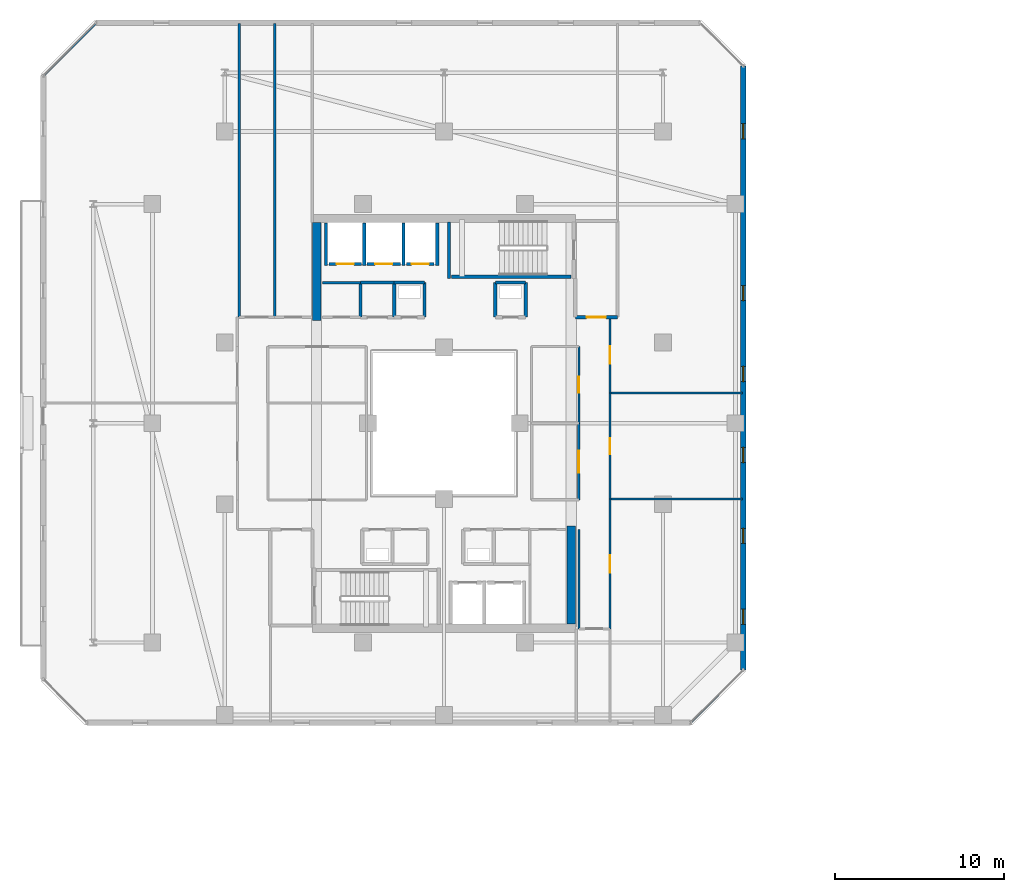
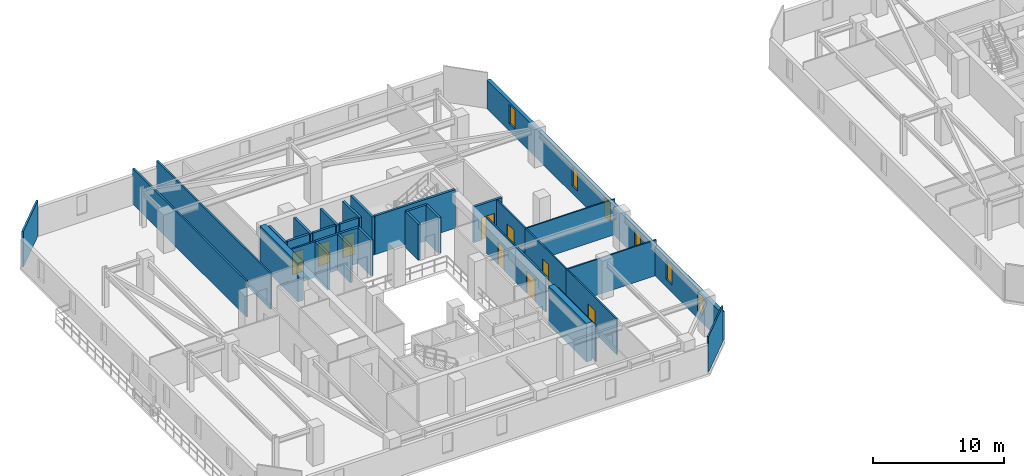
# One storey, part 21 of 33: 34 walls, 9 doors, 6 windows, 15 openings.
"""IFC4 building model written with IfcOpenShell, lengths in metres."""

from ifc_helpers import new_model, si_unit, direction, frame, frame_2d, origin, place, context, subcontext, project, spatial, rectangle, extrude, material, layer, layer_set, type_object, element, fill, save


model = new_model("IFC4")

# Units and contexts
model_context = context("Model", 3, precision=1e-05, world=origin(), true_north=direction((0.0, 1.0)))
body_context = subcontext(model_context, "Body", "Model", "MODEL_VIEW")
ifc_project = project(units=[si_unit("LENGTHUNIT", "METRE"), si_unit("AREAUNIT", "SQUARE_METRE"), si_unit("VOLUMEUNIT", "CUBIC_METRE"), si_unit("PLANEANGLEUNIT", "RADIAN"), si_unit("MASSUNIT", "GRAM", prefix="KILO")], contexts=[model_context])

# Site, building, storey
site_placement = place(None, origin())
site = spatial("IfcSite", under=ifc_project, at=site_placement, CompositionType="ELEMENT")
building_placement = place(site_placement, origin())
building = spatial("IfcBuilding", under=site, at=building_placement, Name="Thornwick Lancets Civic Towers", CompositionType="ELEMENT")
storey_placement = place(building_placement, frame((0.0, 0.0, 214.5)))
storey = spatial("IfcBuildingStorey", under=building, at=storey_placement, Name="L57", CompositionType="ELEMENT", Elevation=214.5)

# Wall, opening, door
ifc_material_1 = material(Name="Concrete blockwork C40/50", Category="masonry")
ifc_layer_1 = layer(ifc_material_1, 0.199951171875, Name="Concrete blockwork C40/50")
ifc_layer_set_1 = layer_set([ifc_layer_1], Name="Concrete blockwork C40/50")
wall_type_1 = type_object("IfcWallType", Name="WALL_COMP_200", PredefinedType="STANDARD", material=ifc_layer_set_1)
wall_1_placement = place(storey_placement, frame((24.919921875, 36.449951171875, 0.0), z_axis=(0.0, 0.0, 1.0), x_axis=(-1.0, 0.0, 0.0)))
wall_1 = element("IfcWall", 1, at=wall_1_placement, inside=storey, type_object=wall_type_1, Name="L57 Hoistway Front Wall FL-A2", PredefinedType="STANDARD", context=body_context, shape_type="SweptSolid", body=[
    extrude(rectangle(XDim=1.639892578125, YDim=0.199951171875, at=frame_2d((0.81982421875, 0.0))), origin(), (0.0, 0.0, 1.0), 3.340087890625),
])
opening_1_placement = place(wall_1_placement, frame((0.31005859375, 0.0, 0.0)))
opening_1 = element("IfcOpeningElement", 2, at=opening_1_placement, cuts=wall_1, Name="Opening LD-FL-A2", PredefinedType="OPENING", context=body_context, shape_type="SweptSolid", body=[
    extrude(rectangle(XDim=1.02001953125, YDim=2.06005859375, at=frame_2d((0.510009765625, 1.030029296875))), frame((0.0, 0.10986328125, 0.0), z_axis=(0.0, -1.0, 0.0), x_axis=(1.0, 0.0, 0.0)), (0.0, 0.0, 1.0), 0.219970703125),
])
ifc_material_2 = material(Name="Brushed bronze stainless steel", Category="steel")
door_type_1 = type_object("IfcDoorType", Name="DOOR_LIFT_SLIDE", OperationType="SLIDING_TO_LEFT", PredefinedType="DOOR", material=ifc_material_2)
door_1_placement = place(opening_1_placement, origin())
door_1 = element("IfcDoor", 3, at=door_1_placement, inside=storey, type_object=door_type_1, Name="L57 Sliding Lift Landing Door LD-FL-A2", OperationType="SLIDING_TO_LEFT", OverallHeight=2.06005859375, OverallWidth=1.02001953125, PredefinedType="DOOR", context=body_context, shape_type="SweptSolid", body=[
    extrude(rectangle(XDim=1.02001953125, YDim=2.06005859375, at=frame_2d((0.510009765625, 1.030029296875))), frame((0.0, 0.02490234375, 0.0), z_axis=(0.0, -1.0, 0.0), x_axis=(1.0, 0.0, 0.0)), (0.0, 0.0, 1.0), 0.050048828125),
])
fill(opening_1, door_1)

wall_2_placement = place(storey_placement, frame((22.919921875, 36.449951171875, 0.0), z_axis=(0.0, 0.0, 1.0), x_axis=(-1.0, 0.0, 0.0)))
wall_2 = element("IfcWall", 4, at=wall_2_placement, inside=storey, type_object=wall_type_1, Name="L57 Hoistway Front Wall PL-AH2", PredefinedType="STANDARD", context=body_context, shape_type="SweptSolid", body=[
    extrude(rectangle(XDim=1.989990234375, YDim=0.199951171875, at=frame_2d((0.9951171875, 0.0))), origin(), (0.0, 0.0, 1.0), 3.340087890625),
])
opening_2_placement = place(wall_2_placement, frame((0.485107421875, 0.0, 0.0)))
opening_2 = element("IfcOpeningElement", 5, at=opening_2_placement, cuts=wall_2, Name="Opening LD-PL-AH2", PredefinedType="OPENING", context=body_context, shape_type="SweptSolid", body=[
    extrude(rectangle(XDim=1.02001953125, YDim=2.06005859375, at=frame_2d((0.510009765625, 1.030029296875))), frame((0.0, 0.10986328125, 0.0), z_axis=(0.0, -1.0, 0.0), x_axis=(1.0, 0.0, 0.0)), (0.0, 0.0, 1.0), 0.219970703125),
])
door_2_placement = place(opening_2_placement, origin())
door_2 = element("IfcDoor", 6, at=door_2_placement, inside=storey, type_object=door_type_1, Name="L57 Sliding Lift Landing Door LD-PL-AH2", OperationType="SLIDING_TO_LEFT", OverallHeight=2.06005859375, OverallWidth=1.02001953125, PredefinedType="DOOR", context=body_context, shape_type="SweptSolid", body=[
    extrude(rectangle(XDim=1.02001953125, YDim=2.06005859375, at=frame_2d((0.510009765625, 1.030029296875))), frame((0.0, 0.02490234375, 0.0), z_axis=(0.0, -1.0, 0.0), x_axis=(1.0, 0.0, 0.0)), (0.0, 0.0, 1.0), 0.050048828125),
])
fill(opening_2, door_2)

wall_3_placement = place(storey_placement, frame((20.6201171875, 36.449951171875, 0.0), z_axis=(0.0, 0.0, 1.0), x_axis=(-1.0, 0.0, 0.0)))
wall_3 = element("IfcWall", 7, at=wall_3_placement, inside=storey, type_object=wall_type_1, Name="L57 Hoistway Front Wall PL-AH3", PredefinedType="STANDARD", context=body_context, shape_type="SweptSolid", body=[
    extrude(rectangle(XDim=1.940185546875, YDim=0.199951171875, at=frame_2d((0.97021484375, 0.0))), origin(), (0.0, 0.0, 1.0), 3.340087890625),
])
opening_3_placement = place(wall_3_placement, frame((0.4599609375, 0.0, 0.0)))
opening_3 = element("IfcOpeningElement", 8, at=opening_3_placement, cuts=wall_3, Name="Opening LD-PL-AH3", PredefinedType="OPENING", context=body_context, shape_type="SweptSolid", body=[
    extrude(rectangle(XDim=1.02001953125, YDim=2.06005859375, at=frame_2d((0.510009765625, 1.030029296875))), frame((0.0, 0.10986328125, 0.0), z_axis=(0.0, -1.0, 0.0), x_axis=(1.0, 0.0, 0.0)), (0.0, 0.0, 1.0), 0.219970703125),
])
door_3_placement = place(opening_3_placement, origin())
door_3 = element("IfcDoor", 9, at=door_3_placement, inside=storey, type_object=door_type_1, Name="L57 Sliding Lift Landing Door LD-PL-AH3", OperationType="SLIDING_TO_LEFT", OverallHeight=2.06005859375, OverallWidth=1.02001953125, PredefinedType="DOOR", context=body_context, shape_type="SweptSolid", body=[
    extrude(rectangle(XDim=1.02001953125, YDim=2.06005859375, at=frame_2d((0.510009765625, 1.030029296875))), frame((0.0, 0.02490234375, 0.0), z_axis=(0.0, -1.0, 0.0), x_axis=(1.0, 0.0, 0.0)), (0.0, 0.0, 1.0), 0.050048828125),
])
fill(opening_3, door_3)

# Walls
for number, where, z_axis, x_axis, name in (
    (10, (25.10009765625, 36.35205078125, 0.0), (0.0, 0.0, 1.0), (0.0, 1.0, 0.0), "L57 Hoistway Shaft Wall FL-A2 E"),
    (11, (23.10009765625, 36.35205078125, 0.0), (0.0, 0.0, 1.0), (0.0, 1.0, 0.0), "L57 Hoistway Shaft Wall FL-A2 W"),
    (12, (20.77490234375, 36.35205078125, 0.0), (0.0, 0.0, 1.0), (0.0, 1.0, 0.0), "L57 Hoistway Shaft Wall PL-AH2 W"),
    (13, (18.5, 36.35205078125, 0.0), (0.0, 0.0, 1.0), (0.0, 1.0, 0.0), "L57 Hoistway Shaft Wall PL-AH3 W"),
):
    element("IfcWall", number, at=place(storey_placement, frame(where, z_axis=z_axis, x_axis=x_axis)), inside=storey, type_object=wall_type_1, Name=name, PredefinedType="STANDARD", context=body_context, shape_type="SweptSolid", body=[
        extrude(rectangle(XDim=2.535888671875, YDim=0.199951171875, at=frame_2d((1.26806640625, 0.0))), origin(), (0.0, 0.0, 1.0), 3.340087890625),
    ])

# Wall, opening, door
wall_4_placement = place(storey_placement, frame((33.300048828125, 33.300048828125, 0.0), z_axis=(0.0, 0.0, 1.0), x_axis=(1.0, 0.0, 0.0)))
wall_4 = element("IfcWall", 14, at=wall_4_placement, inside=storey, type_object=wall_type_1, Name="L57 Partition L57-A-FFLOB2 E1", PredefinedType="STANDARD", context=body_context, shape_type="SweptSolid", body=[
    extrude(rectangle(XDim=2.5, YDim=0.199951171875, at=frame_2d((1.25, 0.0))), origin(), (0.0, 0.0, 1.0), 3.340087890625),
])
opening_4_placement = place(wall_4_placement, frame((0.659912109375, 0.0, 0.0)))
opening_4 = element("IfcOpeningElement", 15, at=opening_4_placement, cuts=wall_4, Name="Opening D-L57-2530", PredefinedType="OPENING", context=body_context, shape_type="SweptSolid", body=[
    extrude(rectangle(XDim=1.14990234375, YDim=2.10009765625, at=frame_2d((0.574951171875, 1.050048828125))), frame((0.0, 0.10986328125, 0.0), z_axis=(0.0, -1.0, 0.0), x_axis=(1.0, 0.0, 0.0)), (0.0, 0.0, 1.0), 0.219970703125),
])
ifc_material_3 = material(Name="Glazed fire-resisting steel", Category="steel")
door_type_2 = type_object("IfcDoorType", Name="DOOR_LOBBY_FD60", OperationType="NOTDEFINED", PredefinedType="DOOR", material=ifc_material_3)
door_4_placement = place(opening_4_placement, origin())
door_4 = element("IfcDoor", 16, at=door_4_placement, inside=storey, type_object=door_type_2, Name="L57 North Firefighting Lobby 2 Door", OperationType="SINGLE_SWING_LEFT", OverallHeight=2.10009765625, OverallWidth=1.14990234375, PredefinedType="DOOR", context=body_context, shape_type="SweptSolid", body=[
    extrude(rectangle(XDim=1.14990234375, YDim=2.10009765625, at=frame_2d((0.574951171875, 1.050048828125))), frame((0.0, 0.02490234375, 0.0), z_axis=(0.0, -1.0, 0.0), x_axis=(1.0, 0.0, 0.0)), (0.0, 0.0, 1.0), 0.050048828125),
])
fill(opening_4, door_4)

# Walls
wall_5_placement = place(storey_placement, frame((24.35009765625, 33.300048828125, 0.0), z_axis=(0.0, 0.0, 1.0), x_axis=(0.0, 1.0, 0.0)))
element("IfcWall", 17, at=wall_5_placement, inside=storey, type_object=wall_type_1, Name="L57 Partition L57-A-DUCT2 E2", PredefinedType="STANDARD", context=body_context, shape_type="SweptSolid", body=[
    extrude(rectangle(XDim=2.050048828125, YDim=0.199951171875, at=frame_2d((1.02490234375, 0.0))), origin(), (0.0, 0.0, 1.0), 3.340087890625),
])
wall_6_placement = place(storey_placement, frame((24.35009765625, 35.35009765625, 0.0), z_axis=(0.0, 0.0, 1.0), x_axis=(-1.0, 0.0, 0.0)))
element("IfcWall", 18, at=wall_6_placement, inside=storey, type_object=wall_type_1, Name="L57 Partition L57-A-DUCT2 E3", PredefinedType="STANDARD", context=body_context, shape_type="SweptSolid", body=[
    extrude(rectangle(XDim=1.800048828125, YDim=0.199951171875, at=frame_2d((0.89990234375, 0.0))), origin(), (0.0, 0.0, 1.0), 3.340087890625),
])
for number, where, z_axis, x_axis, name in (
    (19, (22.550048828125, 35.35009765625, 0.0), (0.0, 0.0, 1.0), (0.0, -1.0, 0.0), "L57 Partition L57-A-DUCT2 E4"),
    (20, (30.35009765625, 33.300048828125, 0.0), (0.0, 0.0, 1.0), (0.0, 1.0, 0.0), "L57 Partition L57-A-RISER2 E2"),
):
    element("IfcWall", number, at=place(storey_placement, frame(where, z_axis=z_axis, x_axis=x_axis)), inside=storey, type_object=wall_type_1, Name=name, PredefinedType="STANDARD", context=body_context, shape_type="SweptSolid", body=[
        extrude(rectangle(XDim=2.050048828125, YDim=0.199951171875, at=frame_2d((1.02490234375, 0.0))), origin(), (0.0, 0.0, 1.0), 3.340087890625),
    ])
wall_7_placement = place(storey_placement, frame((30.35009765625, 35.35009765625, 0.0), z_axis=(0.0, 0.0, 1.0), x_axis=(-1.0, 0.0, 0.0)))
element("IfcWall", 21, at=wall_7_placement, inside=storey, type_object=wall_type_1, Name="L57 Partition L57-A-RISER2 E3", PredefinedType="STANDARD", context=body_context, shape_type="SweptSolid", body=[
    extrude(rectangle(XDim=1.800048828125, YDim=0.199951171875, at=frame_2d((0.89990234375, 0.0))), origin(), (0.0, 0.0, 1.0), 3.340087890625),
])
for number, where, z_axis, x_axis, name in (
    (22, (28.550048828125, 35.35009765625, 0.0), (0.0, 0.0, 1.0), (0.0, -1.0, 0.0), "L57 Partition L57-A-RISER2 E4"),
    (23, (20.550048828125, 33.300048828125, 0.0), (0.0, 0.0, 1.0), (0.0, 1.0, 0.0), "L57 Partition L57-A-STR E1"),
):
    element("IfcWall", number, at=place(storey_placement, frame(where, z_axis=z_axis, x_axis=x_axis)), inside=storey, type_object=wall_type_1, Name=name, PredefinedType="STANDARD", context=body_context, shape_type="SweptSolid", body=[
        extrude(rectangle(XDim=2.050048828125, YDim=0.199951171875, at=frame_2d((1.02490234375, 0.0))), origin(), (0.0, 0.0, 1.0), 3.340087890625),
    ])
wall_8_placement = place(storey_placement, frame((20.550048828125, 35.35009765625, 0.0), z_axis=(0.0, 0.0, 1.0), x_axis=(1.0, 0.0, 0.0)))
element("IfcWall", 24, at=wall_8_placement, inside=storey, type_object=wall_type_1, Name="L57 Partition L57-A-STR E2", PredefinedType="STANDARD", context=body_context, shape_type="SweptSolid", body=[
    extrude(rectangle(XDim=2.0, YDim=0.199951171875, at=frame_2d((1.0, 0.0))), origin(), (0.0, 0.0, 1.0), 3.340087890625),
])
ifc_material_4 = material(Name="Concrete C50/60", Category="concrete")
ifc_layer_2 = layer(ifc_material_4, 0.5, Name="Concrete C50/60")
ifc_layer_set_2 = layer_set([ifc_layer_2], Name="Concrete C50/60")
wall_type_2 = type_object("IfcWallType", Name="WALL_CORE_500", PredefinedType="SHEAR", material=ifc_layer_set_2)
for number, where, z_axis, x_axis, name in (
    (25, (33.050048828125, 15.10009765625, 0.0), (0.0, 0.0, 1.0), (0.0, 1.0, 0.0), "L57 Split Core A1 Shear Wall E"),
    (26, (17.949951171875, 33.10009765625, 0.0), (0.0, 0.0, 1.0), (0.0, 1.0, 0.0), "L57 Split Core A2 Shear Wall W"),
):
    element("IfcWall", number, at=place(storey_placement, frame(where, z_axis=z_axis, x_axis=x_axis)), inside=storey, type_object=wall_type_2, Name=name, PredefinedType="SHEAR", context=body_context, shape_type="SweptSolid", body=[
        extrude(rectangle(XDim=5.7998046875, YDim=0.5, at=frame_2d((2.89990234375, 0.0))), origin(), (0.0, 0.0, 1.0), 3.60009765625),
    ])

# Wall, openings, windows
ifc_material_5 = material(Name="Insulated buff terracotta rainscreen on concrete C40/50", Category="masonry")
ifc_layer_3 = layer(ifc_material_5, 0.320068359375, Name="Insulated buff terracotta rainscreen on concrete C40/50")
ifc_layer_set_3 = layer_set([ifc_layer_3], Name="Insulated buff terracotta rainscreen on concrete C40/50")
wall_type_3 = type_object("IfcWallType", Name="WALL_EXT_TERRA_320", PredefinedType="STANDARD", material=ifc_layer_set_3)
wall_9_placement = place(storey_placement, frame((43.2626953125, 12.37060546875, 0.0), z_axis=(0.0, 0.0, 1.0), x_axis=(5.4540124e-05, 0.999999998513, 0.0)))
wall_9 = element("IfcWall", 27, at=wall_9_placement, inside=storey, type_object=wall_type_3, Name="L57 Tower A Terracotta Facade Wall E2", PredefinedType="STANDARD", context=body_context, shape_type="SweptSolid", body=[
    extrude(rectangle(XDim=35.810791015625, YDim=0.320068359375, at=frame_2d((17.9052734375, 0.0))), origin(), (0.0, 0.0, 1.0), 2.699951171875),
])
opening_5_placement = place(wall_9_placement, frame((2.699951171875, 0.0, 0.719970703125)))
opening_5 = element("IfcOpeningElement", 28, at=opening_5_placement, cuts=wall_9, Name="Opening WL-01", PredefinedType="OPENING", context=body_context, shape_type="SweptSolid", body=[
    extrude(rectangle(XDim=0.89990234375, YDim=1.75, at=frame_2d((0.449951171875, 0.875))), frame((0.0, 0.169921875, 0.0), z_axis=(0.0, -1.0, 0.0), x_axis=(1.0, 0.0, 0.0)), (0.0, 0.0, 1.0), 0.340087890625),
])
opening_6_placement = place(wall_9_placement, frame((7.5, 0.0, 0.719970703125)))
opening_6 = element("IfcOpeningElement", 29, at=opening_6_placement, cuts=wall_9, Name="Opening WL-01", PredefinedType="OPENING", context=body_context, shape_type="SweptSolid", body=[
    extrude(rectangle(XDim=0.89990234375, YDim=1.75, at=frame_2d((0.449951171875, 0.875))), frame((0.0, 0.169921875, 0.0), z_axis=(0.0, -1.0, 0.0), x_axis=(1.0, 0.0, 0.0)), (0.0, 0.0, 1.0), 0.340087890625),
])
opening_7_placement = place(wall_9_placement, frame((12.300048828125, 0.0, 0.719970703125)))
opening_7 = element("IfcOpeningElement", 30, at=opening_7_placement, cuts=wall_9, Name="Opening WL-01", PredefinedType="OPENING", context=body_context, shape_type="SweptSolid", body=[
    extrude(rectangle(XDim=0.89990234375, YDim=1.75, at=frame_2d((0.449951171875, 0.875))), frame((0.0, 0.169921875, 0.0), z_axis=(0.0, -1.0, 0.0), x_axis=(1.0, 0.0, 0.0)), (0.0, 0.0, 1.0), 0.340087890625),
])
opening_8_placement = place(wall_9_placement, frame((17.10009765625, 0.0, 0.719970703125)))
opening_8 = element("IfcOpeningElement", 31, at=opening_8_placement, cuts=wall_9, Name="Opening WL-01", PredefinedType="OPENING", context=body_context, shape_type="SweptSolid", body=[
    extrude(rectangle(XDim=0.89990234375, YDim=1.75, at=frame_2d((0.449951171875, 0.875))), frame((0.0, 0.169921875, 0.0), z_axis=(0.0, -1.0, 0.0), x_axis=(1.0, 0.0, 0.0)), (0.0, 0.0, 1.0), 0.340087890625),
])
opening_9_placement = place(wall_9_placement, frame((21.89990234375, 0.0, 0.719970703125)))
opening_9 = element("IfcOpeningElement", 32, at=opening_9_placement, cuts=wall_9, Name="Opening WL-01", PredefinedType="OPENING", context=body_context, shape_type="SweptSolid", body=[
    extrude(rectangle(XDim=0.89990234375, YDim=1.75, at=frame_2d((0.449951171875, 0.875))), frame((0.0, 0.169921875, 0.0), z_axis=(0.0, -1.0, 0.0), x_axis=(1.0, 0.0, 0.0)), (0.0, 0.0, 1.0), 0.340087890625),
])
opening_10_placement = place(wall_9_placement, frame((31.5, 0.0, 0.719970703125)))
opening_10 = element("IfcOpeningElement", 33, at=opening_10_placement, cuts=wall_9, Name="Opening WL-01", PredefinedType="OPENING", context=body_context, shape_type="SweptSolid", body=[
    extrude(rectangle(XDim=0.89990234375, YDim=1.75, at=frame_2d((0.449951171875, 0.875))), frame((0.0, 0.169921875, 0.0), z_axis=(0.0, -1.0, 0.0), x_axis=(1.0, 0.0, 0.0)), (0.0, 0.0, 1.0), 0.340087890625),
])
ifc_material_6 = material(Name="Clear low-e double glazing in bronze frame", Category="glass")
window_type = type_object("IfcWindowType", Name="WIN_LANCET_900", PartitioningType="SINGLE_PANEL", PredefinedType="WINDOW", material=ifc_material_6)
window_1_placement = place(opening_5_placement, origin())
window_1 = element("IfcWindow", 34, at=window_1_placement, inside=storey, type_object=window_type, Name="L57 Tower A Staggered Lancet Window E2-1", OverallHeight=1.75, OverallWidth=0.89990234375, PartitioningType="SINGLE_PANEL", PredefinedType="WINDOW", context=body_context, shape_type="SweptSolid", body=[
    extrude(rectangle(XDim=0.89990234375, YDim=1.75, at=frame_2d((0.449951171875, 0.875))), frame((0.0, 0.030029296875, 0.0), z_axis=(0.0, -1.0, 0.0), x_axis=(1.0, 0.0, 0.0)), (0.0, 0.0, 1.0), 0.06005859375),
])
fill(opening_5, window_1)
window_2_placement = place(opening_6_placement, origin())
window_2 = element("IfcWindow", 35, at=window_2_placement, inside=storey, type_object=window_type, Name="L57 Tower A Staggered Lancet Window E2-2", OverallHeight=1.75, OverallWidth=0.89990234375, PartitioningType="SINGLE_PANEL", PredefinedType="WINDOW", context=body_context, shape_type="SweptSolid", body=[
    extrude(rectangle(XDim=0.89990234375, YDim=1.75, at=frame_2d((0.449951171875, 0.875))), frame((0.0, 0.030029296875, 0.0), z_axis=(0.0, -1.0, 0.0), x_axis=(1.0, 0.0, 0.0)), (0.0, 0.0, 1.0), 0.06005859375),
])
fill(opening_6, window_2)
window_3_placement = place(opening_7_placement, origin())
window_3 = element("IfcWindow", 36, at=window_3_placement, inside=storey, type_object=window_type, Name="L57 Tower A Staggered Lancet Window E2-3", OverallHeight=1.75, OverallWidth=0.89990234375, PartitioningType="SINGLE_PANEL", PredefinedType="WINDOW", context=body_context, shape_type="SweptSolid", body=[
    extrude(rectangle(XDim=0.89990234375, YDim=1.75, at=frame_2d((0.449951171875, 0.875))), frame((0.0, 0.030029296875, 0.0), z_axis=(0.0, -1.0, 0.0), x_axis=(1.0, 0.0, 0.0)), (0.0, 0.0, 1.0), 0.06005859375),
])
fill(opening_7, window_3)
window_4_placement = place(opening_8_placement, origin())
window_4 = element("IfcWindow", 37, at=window_4_placement, inside=storey, type_object=window_type, Name="L57 Tower A Staggered Lancet Window E2-4", OverallHeight=1.75, OverallWidth=0.89990234375, PartitioningType="SINGLE_PANEL", PredefinedType="WINDOW", context=body_context, shape_type="SweptSolid", body=[
    extrude(rectangle(XDim=0.89990234375, YDim=1.75, at=frame_2d((0.449951171875, 0.875))), frame((0.0, 0.030029296875, 0.0), z_axis=(0.0, -1.0, 0.0), x_axis=(1.0, 0.0, 0.0)), (0.0, 0.0, 1.0), 0.06005859375),
])
fill(opening_8, window_4)
window_5_placement = place(opening_9_placement, origin())
window_5 = element("IfcWindow", 38, at=window_5_placement, inside=storey, type_object=window_type, Name="L57 Tower A Staggered Lancet Window E2-5", OverallHeight=1.75, OverallWidth=0.89990234375, PartitioningType="SINGLE_PANEL", PredefinedType="WINDOW", context=body_context, shape_type="SweptSolid", body=[
    extrude(rectangle(XDim=0.89990234375, YDim=1.75, at=frame_2d((0.449951171875, 0.875))), frame((0.0, 0.030029296875, 0.0), z_axis=(0.0, -1.0, 0.0), x_axis=(1.0, 0.0, 0.0)), (0.0, 0.0, 1.0), 0.06005859375),
])
fill(opening_9, window_5)
window_6_placement = place(opening_10_placement, origin())
window_6 = element("IfcWindow", 39, at=window_6_placement, inside=storey, type_object=window_type, Name="L57 Tower A Staggered Lancet Window E2-6", OverallHeight=1.75, OverallWidth=0.89990234375, PartitioningType="SINGLE_PANEL", PredefinedType="WINDOW", context=body_context, shape_type="SweptSolid", body=[
    extrude(rectangle(XDim=0.89990234375, YDim=1.75, at=frame_2d((0.449951171875, 0.875))), frame((0.0, 0.030029296875, 0.0), z_axis=(0.0, -1.0, 0.0), x_axis=(1.0, 0.0, 0.0)), (0.0, 0.0, 1.0), 0.06005859375),
])
fill(opening_10, window_6)

# Wall
ifc_material_7 = material(Name="Acoustic gypsum board partition")
ifc_layer_4 = layer(ifc_material_7, 0.1201171875, Name="Acoustic gypsum board partition")
ifc_layer_set_4 = layer_set([ifc_layer_4], Name="Acoustic gypsum board partition")
wall_type_4 = type_object("IfcWallType", Name="WALL_PART_120", PredefinedType="PARTITIONING", material=ifc_layer_set_4)
wall_10_placement = place(storey_placement, frame((33.5, 20.699951171875, 0.0), z_axis=(0.0, 0.0, 1.0), x_axis=(0.0, -1.0, 0.0)))
element("IfcWall", 40, at=wall_10_placement, inside=storey, type_object=wall_type_4, Name="L57 Partition L57-A-RECLAIM-L E2", PredefinedType="PARTITIONING", context=body_context, shape_type="SweptSolid", body=[
    extrude(rectangle(XDim=5.89990234375, YDim=0.1201171875, at=frame_2d((2.949951171875, 0.0))), origin(), (0.0, 0.0, 1.0), 3.340087890625),
])

# Wall, opening, door
wall_11_placement = place(storey_placement, frame((35.35009765625, 14.800048828125, 0.0), z_axis=(0.0, 0.0, 1.0), x_axis=(0.0, 1.0, 0.0)))
wall_11 = element("IfcWall", 41, at=wall_11_placement, inside=storey, type_object=wall_type_4, Name="L57 Partition L57-A-E1 E3", PredefinedType="PARTITIONING", context=body_context, shape_type="SweptSolid", body=[
    extrude(rectangle(XDim=7.699951171875, YDim=0.1201171875, at=frame_2d((3.85009765625, 0.0))), origin(), (0.0, 0.0, 1.0), 3.340087890625),
])
opening_11_placement = place(wall_11_placement, frame((3.324951171875, 0.0, 0.0)))
opening_11 = element("IfcOpeningElement", 42, at=opening_11_placement, cuts=wall_11, Name="Opening D-L57-2558", PredefinedType="OPENING", context=body_context, shape_type="SweptSolid", body=[
    extrude(rectangle(XDim=1.050048828125, YDim=2.10009765625, at=frame_2d((0.52490234375, 1.050048828125))), frame((0.0, 0.070068359375, 0.0), z_axis=(0.0, -1.0, 0.0), x_axis=(1.0, 0.0, 0.0)), (0.0, 0.0, 1.0), 0.14013671875),
])
ifc_material_8 = material(Name="Glazed European oak executive doorset")
door_type_3 = type_object("IfcDoorType", Name="DOOR_OFFICE_1050", OperationType="NOTDEFINED", PredefinedType="DOOR", material=ifc_material_8)
door_5_placement = place(opening_11_placement, origin())
door_5 = element("IfcDoor", 43, at=door_5_placement, inside=storey, type_object=door_type_3, Name="L57 Tower A Secretariat Open Office E1 Door", OperationType="SINGLE_SWING_LEFT", OverallHeight=2.10009765625, OverallWidth=1.050048828125, PredefinedType="DOOR", context=body_context, shape_type="SweptSolid", body=[
    extrude(rectangle(XDim=1.050048828125, YDim=2.10009765625, at=frame_2d((0.52490234375, 1.050048828125))), frame((0.0, 0.02490234375, 0.0), z_axis=(0.0, -1.0, 0.0), x_axis=(1.0, 0.0, 0.0)), (0.0, 0.0, 1.0), 0.050048828125),
])
fill(opening_11, door_5)

# Walls
wall_12_placement = place(storey_placement, frame((35.35009765625, 22.5, 0.0), z_axis=(0.0, 0.0, 1.0), x_axis=(1.0, 0.0, 0.0)))
element("IfcWall", 44, at=wall_12_placement, inside=storey, type_object=wall_type_4, Name="L57 Partition L57-A-E1 E4", PredefinedType="PARTITIONING", context=body_context, shape_type="SweptSolid", body=[
    extrude(rectangle(XDim=7.869873046875, YDim=0.1201171875, at=frame_2d((3.93505859375, 0.0))), origin(), (0.0, 0.0, 1.0), 3.340087890625),
])
wall_13_placement = place(storey_placement, frame((43.219970703125, 12.32861328125, 0.0), z_axis=(0.0, 0.0, 1.0), x_axis=(-0.707106781187, -0.707106781187, 0.0)))
element("IfcWall", 45, at=wall_13_placement, inside=storey, type_object=wall_type_4, Name="L57 Partition L57-A-E1 E6", PredefinedType="PARTITIONING", context=body_context, shape_type="SweptSolid", body=[
    extrude(rectangle(XDim=4.311279296875, YDim=0.1201171875, at=frame_2d((2.15576171875, 0.0))), origin(), (0.0, 0.0, 1.0), 3.340087890625),
])

# Wall, opening, door
wall_14_placement = place(storey_placement, frame((35.35009765625, 22.5, 0.0), z_axis=(0.0, 0.0, 1.0), x_axis=(0.0, 1.0, 0.0)))
wall_14 = element("IfcWall", 46, at=wall_14_placement, inside=storey, type_object=wall_type_4, Name="L57 Partition L57-A-E2 E1", PredefinedType="PARTITIONING", context=body_context, shape_type="SweptSolid", body=[
    extrude(rectangle(XDim=6.300048828125, YDim=0.1201171875, at=frame_2d((3.14990234375, 0.0))), origin(), (0.0, 0.0, 1.0), 3.340087890625),
])
opening_12_placement = place(wall_14_placement, frame((2.675048828125, 0.0, 0.0)))
opening_12 = element("IfcOpeningElement", 47, at=opening_12_placement, cuts=wall_14, Name="Opening D-L57-2559", PredefinedType="OPENING", context=body_context, shape_type="SweptSolid", body=[
    extrude(rectangle(XDim=0.949951171875, YDim=2.10009765625, at=frame_2d((0.47509765625, 1.050048828125))), frame((0.0, 0.070068359375, 0.0), z_axis=(0.0, -1.0, 0.0), x_axis=(1.0, 0.0, 0.0)), (0.0, 0.0, 1.0), 0.14013671875),
])
ifc_material_9 = material(Name="European oak acoustic doorset")
door_type_4 = type_object("IfcDoorType", Name="DOOR_OFFICE_950", OperationType="NOTDEFINED", PredefinedType="DOOR", material=ifc_material_9)
door_6_placement = place(opening_12_placement, origin())
door_6 = element("IfcDoor", 48, at=door_6_placement, inside=storey, type_object=door_type_4, Name="L57 Tower A Visitors Reception and Waiting Door", OperationType="SINGLE_SWING_RIGHT", OverallHeight=2.10009765625, OverallWidth=0.949951171875, PredefinedType="DOOR", context=body_context, shape_type="SweptSolid", body=[
    extrude(rectangle(XDim=0.949951171875, YDim=2.10009765625, at=frame_2d((0.47509765625, 1.050048828125))), frame((0.0, 0.02490234375, 0.0), z_axis=(0.0, -1.0, 0.0), x_axis=(1.0, 0.0, 0.0)), (0.0, 0.0, 1.0), 0.050048828125),
])
fill(opening_12, door_6)

# Wall
wall_15_placement = place(storey_placement, frame((35.35009765625, 28.800048828125, 0.0), z_axis=(0.0, 0.0, 1.0), x_axis=(1.0, 0.0, 0.0)))
element("IfcWall", 49, at=wall_15_placement, inside=storey, type_object=wall_type_4, Name="L57 Partition L57-A-E2 E2", PredefinedType="PARTITIONING", context=body_context, shape_type="SweptSolid", body=[
    extrude(rectangle(XDim=7.869873046875, YDim=0.1201171875, at=frame_2d((3.93505859375, 0.0))), origin(), (0.0, 0.0, 1.0), 3.340087890625),
])

# Wall, opening, door
wall_16_placement = place(storey_placement, frame((35.35009765625, 28.800048828125, 0.0), z_axis=(0.0, 0.0, 1.0), x_axis=(0.0, 1.0, 0.0)))
wall_16 = element("IfcWall", 50, at=wall_16_placement, inside=storey, type_object=wall_type_4, Name="L57 Partition L57-A-E3 E8", PredefinedType="PARTITIONING", context=body_context, shape_type="SweptSolid", body=[
    extrude(rectangle(XDim=4.5, YDim=0.1201171875, at=frame_2d((2.25, 0.0))), origin(), (0.0, 0.0, 1.0), 3.340087890625),
])
opening_13_placement = place(wall_16_placement, frame((1.72509765625, 0.0, 0.0)))
opening_13 = element("IfcOpeningElement", 51, at=opening_13_placement, cuts=wall_16, Name="Opening D-L57-2560", PredefinedType="OPENING", context=body_context, shape_type="SweptSolid", body=[
    extrude(rectangle(XDim=1.050048828125, YDim=2.10009765625, at=frame_2d((0.52490234375, 1.050048828125))), frame((0.0, 0.070068359375, 0.0), z_axis=(0.0, -1.0, 0.0), x_axis=(1.0, 0.0, 0.0)), (0.0, 0.0, 1.0), 0.14013671875),
])
door_7_placement = place(opening_13_placement, origin())
door_7 = element("IfcDoor", 52, at=door_7_placement, inside=storey, type_object=door_type_3, Name="L57 Tower A Civic Seminar Room Door", OperationType="SINGLE_SWING_LEFT", OverallHeight=2.10009765625, OverallWidth=1.050048828125, PredefinedType="DOOR", context=body_context, shape_type="SweptSolid", body=[
    extrude(rectangle(XDim=1.050048828125, YDim=2.10009765625, at=frame_2d((0.52490234375, 1.050048828125))), frame((0.0, 0.02490234375, 0.0), z_axis=(0.0, -1.0, 0.0), x_axis=(1.0, 0.0, 0.0)), (0.0, 0.0, 1.0), 0.050048828125),
])
fill(opening_13, door_7)

wall_17_placement = place(storey_placement, frame((33.5, 31.550048828125, 0.0), z_axis=(0.0, 0.0, 1.0), x_axis=(0.0, -1.0, 0.0)))
wall_17 = element("IfcWall", 53, at=wall_17_placement, inside=storey, type_object=wall_type_4, Name="L57 Partition L57-A-E-ATR-2 E3", PredefinedType="PARTITIONING", context=body_context, shape_type="SweptSolid", body=[
    extrude(rectangle(XDim=4.550048828125, YDim=0.1201171875, at=frame_2d((2.27490234375, 0.0))), origin(), (0.0, 0.0, 1.0), 3.340087890625),
])
opening_14_placement = place(wall_17_placement, frame((1.800048828125, 0.0, 0.0)))
opening_14 = element("IfcOpeningElement", 54, at=opening_14_placement, cuts=wall_17, Name="Opening D-L57-2562", PredefinedType="OPENING", context=body_context, shape_type="SweptSolid", body=[
    extrude(rectangle(XDim=0.949951171875, YDim=2.10009765625, at=frame_2d((0.47509765625, 1.050048828125))), frame((0.0, 0.070068359375, 0.0), z_axis=(0.0, -1.0, 0.0), x_axis=(1.0, 0.0, 0.0)), (0.0, 0.0, 1.0), 0.14013671875),
])
door_8_placement = place(opening_14_placement, origin())
door_8 = element("IfcDoor", 55, at=door_8_placement, inside=storey, type_object=door_type_4, Name="L57 Tower A Atrium Research Suite Door", OperationType="SINGLE_SWING_LEFT", OverallHeight=2.10009765625, OverallWidth=0.949951171875, PredefinedType="DOOR", context=body_context, shape_type="SweptSolid", body=[
    extrude(rectangle(XDim=0.949951171875, YDim=2.10009765625, at=frame_2d((0.47509765625, 1.050048828125))), frame((0.0, 0.02490234375, 0.0), z_axis=(0.0, -1.0, 0.0), x_axis=(1.0, 0.0, 0.0)), (0.0, 0.0, 1.0), 0.050048828125),
])
fill(opening_14, door_8)

# Walls
ifc_material_10 = material(Name="Twin-stud acoustic gypsum board")
ifc_layer_5 = layer(ifc_material_10, 0.14990234375, Name="Twin-stud acoustic gypsum board")
ifc_layer_set_5 = layer_set([ifc_layer_5], Name="Twin-stud acoustic gypsum board")
wall_type_5 = type_object("IfcWallType", Name="WALL_PART_150", PredefinedType="PARTITIONING", material=ifc_layer_set_5)
wall_18_placement = place(storey_placement, frame((20.550048828125, 35.35009765625, 0.0), z_axis=(0.0, 0.0, 1.0), x_axis=(-1.0, 0.0, 0.0)))
element("IfcWall", 56, at=wall_18_placement, inside=storey, type_object=wall_type_5, Name="L57 Partition L57-A-AWC E3", PredefinedType="PARTITIONING", context=body_context, shape_type="SweptSolid", body=[
    extrude(rectangle(XDim=2.25, YDim=0.14990234375, at=frame_2d((1.125, 0.0))), origin(), (0.0, 0.0, 1.0), 3.340087890625),
])
for number, where, z_axis, x_axis, name in (
    (57, (13.35009765625, 33.300048828125, 0.0), (0.0, 0.0, 1.0), (0.0, 1.0, 0.0), "L57 Partition L57-A-RECLAIM-M1 E1"),
    (58, (15.449951171875, 50.719970703125, 0.0), (0.0, 0.0, 1.0), (0.0, -1.0, 0.0), "L57 Partition L57-A-RECLAIM-M1 E3"),
):
    element("IfcWall", number, at=place(storey_placement, frame(where, z_axis=z_axis, x_axis=x_axis)), inside=storey, type_object=wall_type_5, Name=name, PredefinedType="PARTITIONING", context=body_context, shape_type="SweptSolid", body=[
        extrude(rectangle(XDim=17.419921875, YDim=0.14990234375, at=frame_2d((8.7099609375, 0.0))), origin(), (0.0, 0.0, 1.0), 3.340087890625),
    ])
wall_19_placement = place(storey_placement, frame((1.780029296875, 47.67138671875, 0.0), z_axis=(0.0, 0.0, 1.0), x_axis=(0.707106781187, 0.707106781187, 0.0)))
element("IfcWall", 59, at=wall_19_placement, inside=storey, type_object=wall_type_5, Name="L57 Partition L57-A-W2 E2", PredefinedType="PARTITIONING", context=body_context, shape_type="SweptSolid", body=[
    extrude(rectangle(XDim=4.311279296875, YDim=0.14990234375, at=frame_2d((2.15576171875, 0.0))), origin(), (0.0, 0.0, 1.0), 3.340087890625),
])

# Wall, opening, door
wall_20_placement = place(storey_placement, frame((33.5, 27.0, 0.0), z_axis=(0.0, 0.0, 1.0), x_axis=(0.0, -1.0, 0.0)))
wall_20 = element("IfcWall", 60, at=wall_20_placement, inside=storey, type_object=wall_type_5, Name="L57 Partition L57-A-E-ATR-1 E3", PredefinedType="PARTITIONING", context=body_context, shape_type="SweptSolid", body=[
    extrude(rectangle(XDim=4.550048828125, YDim=0.14990234375, at=frame_2d((2.27490234375, 0.0))), origin(), (0.0, 0.0, 1.0), 3.340087890625),
])
opening_15_placement = place(wall_20_placement, frame((1.625, 0.0, 0.0)))
opening_15 = element("IfcOpeningElement", 61, at=opening_15_placement, cuts=wall_20, Name="Opening D-L57-2561", PredefinedType="OPENING", context=body_context, shape_type="SweptSolid", body=[
    extrude(rectangle(XDim=1.300048828125, YDim=2.1201171875, at=frame_2d((0.64990234375, 1.06005859375))), frame((0.0, 0.0849609375, 0.0), z_axis=(0.0, -1.0, 0.0), x_axis=(1.0, 0.0, 0.0)), (0.0, 0.0, 1.0), 0.169921875),
])
ifc_material_11 = material(Name="Acoustic oak leaf-and-a-half doorset")
door_type_5 = type_object("IfcDoorType", Name="DOOR_MEET_1300", OperationType="DOUBLE_DOOR_SINGLE_SWING", PredefinedType="DOOR", material=ifc_material_11)
door_9_placement = place(opening_15_placement, origin())
door_9 = element("IfcDoor", 62, at=door_9_placement, inside=storey, type_object=door_type_5, Name="L57 Tower A Atrium Briefing Room Door", OperationType="DOUBLE_DOOR_SINGLE_SWING", OverallHeight=2.1201171875, OverallWidth=1.300048828125, PredefinedType="DOOR", context=body_context, shape_type="SweptSolid", body=[
    extrude(rectangle(XDim=1.300048828125, YDim=2.1201171875, at=frame_2d((0.64990234375, 1.06005859375))), frame((0.0, 0.02490234375, 0.0), z_axis=(0.0, -1.0, 0.0), x_axis=(1.0, 0.0, 0.0)), (0.0, 0.0, 1.0), 0.050048828125),
])
fill(opening_15, door_9)

# Walls
ifc_material_12 = material(Name="Concrete C40/50", Category="concrete")
ifc_layer_6 = layer(ifc_material_12, 0.199951171875, Name="Concrete C40/50")
ifc_layer_set_6 = layer_set([ifc_layer_6], Name="Concrete C40/50")
wall_type_6 = type_object("IfcWallType", Name="WALL_SHAFT_200", PredefinedType="SHEAR", material=ifc_layer_set_6)
wall_21_placement = place(storey_placement, frame((25.800048828125, 35.60009765625, 0.0), z_axis=(0.0, 0.0, 1.0), x_axis=(0.0, 1.0, 0.0)))
element("IfcWall", 63, at=wall_21_placement, inside=storey, type_object=wall_type_6, Name="L57 ST-A2 Fire Stair Core Wall FAR", PredefinedType="SHEAR", context=body_context, shape_type="SweptSolid", body=[
    extrude(rectangle(XDim=3.349853515625, YDim=0.199951171875, at=frame_2d((1.6748046875, 0.0))), origin(), (0.0, 0.0, 1.0), 3.60009765625),
])
wall_22_placement = place(storey_placement, frame((25.949951171875, 35.702880859375, 0.0), z_axis=(0.0, 0.0, 1.0), x_axis=(1.0, 0.0, 0.0)))
element("IfcWall", 64, at=wall_22_placement, inside=storey, type_object=wall_type_6, Name="L57 ST-A2 Fire Stair Core Wall RIGHT", PredefinedType="SHEAR", context=body_context, shape_type="SweptSolid", body=[
    extrude(rectangle(XDim=7.10009765625, YDim=0.199951171875, at=frame_2d((3.550048828125, 0.0))), origin(), (0.0, 0.0, 1.0), 3.60009765625),
])

save(model, "model.ifc")
